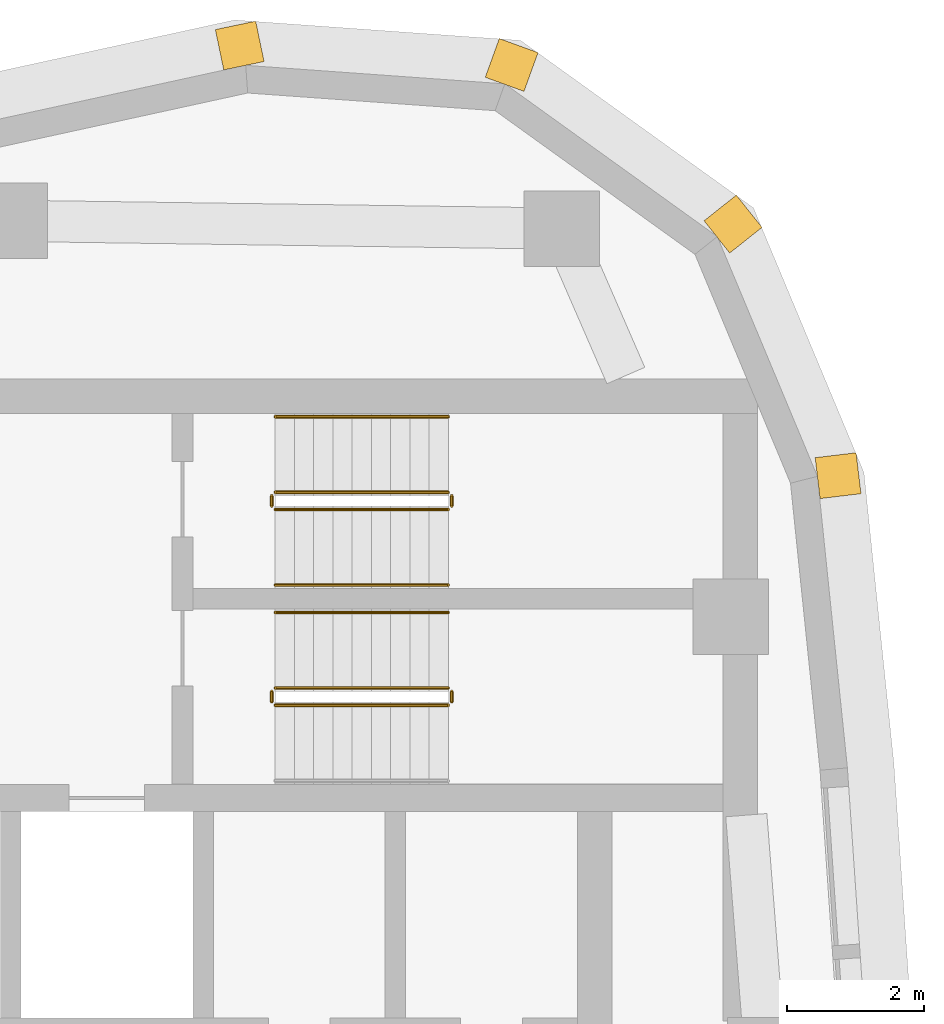
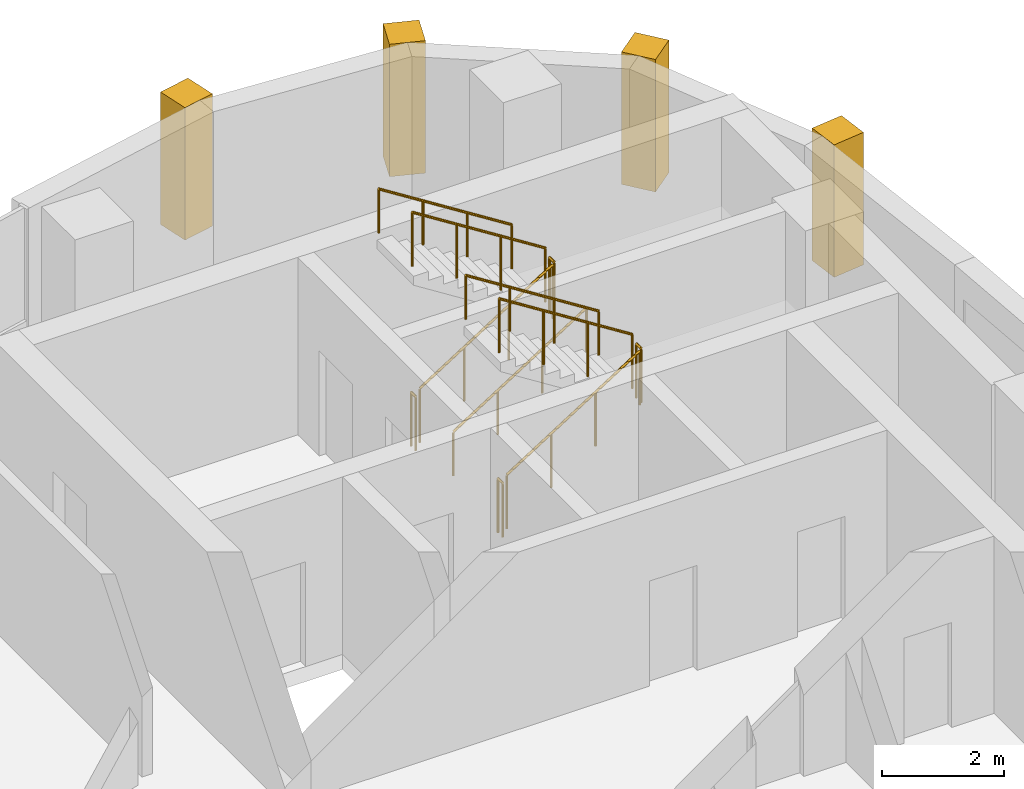
# One storey, part 14 of 14: 11 railings, 4 coverings.
"""IFC4 building model written with IfcOpenShell, lengths in metres."""

from ifc_helpers import new_model, si_unit, direction, frame, frame_2d, origin, origin_2d, place, context, subcontext, project, spatial, rectangle, circle, extrude, material, layer, layer_set, type_object, element, save


model = new_model("IFC4")

# Units and contexts
model_context = context("Model", 3, precision=1e-05, world=origin(), true_north=direction((0.0, 1.0)))
body_context = subcontext(model_context, "Body", "Model", "MODEL_VIEW")
ifc_project = project(units=[si_unit("LENGTHUNIT", "METRE"), si_unit("AREAUNIT", "SQUARE_METRE"), si_unit("VOLUMEUNIT", "CUBIC_METRE"), si_unit("PLANEANGLEUNIT", "RADIAN"), si_unit("MASSUNIT", "GRAM", prefix="KILO")], contexts=[model_context])

# Site, building, storey
site_placement = place(None, origin())
site = spatial("IfcSite", under=ifc_project, at=site_placement, CompositionType="ELEMENT")
building_placement = place(site_placement, origin())
building = spatial("IfcBuilding", under=site, at=building_placement, Name="Ostrand Prow Hotel Tower", CompositionType="ELEMENT")
storey_placement = place(building_placement, frame((0.0, 0.0, 278.550048828125)))
storey = spatial("IfcBuildingStorey", under=building, at=storey_placement, Name="L70", CompositionType="ELEMENT", Elevation=278.550048828125)

# Coverings
ifc_material_1 = material(Name="Limestone cladding", Category="masonry")
ifc_layer = layer(ifc_material_1, 0.60009765625)
ifc_layer_set = layer_set([ifc_layer], Name="Limestone cladding")
covering_type = type_object("IfcCoveringType", Name="Precast stone prow rib 600x600", PredefinedType="CLADDING", material=ifc_layer_set)
covering_1_placement = place(storey_placement, frame((65.0966796875, 14.806396484375, 0.599853515625), z_axis=(0.0, 0.0, 1.0), x_axis=(0.992867207971, 0.119225447515, 0.0)))
element("IfcCovering", 1, at=covering_1_placement, inside=storey, type_object=covering_type, Name="Stone corner rib 12a", PredefinedType="CLADDING", context=body_context, shape_type="SweptSolid", body=[
    extrude(rectangle(XDim=0.60009765625, YDim=0.60009765625, at=frame_2d((0.300048828125, 0.0))), origin(), (0.0, 0.0, 1.0), 2.650146484375),
])
for number, where, z_axis, x_axis, name in (
    (2, (63.630615234375, 18.318359375, 0.599853515625), (0.0, 0.0, 1.0), (0.782731736812, 0.622359243674, 0.0), "Stone corner rib 13a"),
    (3, (60.540283203125, 20.539794921875, 0.599853515625), (0.0, 0.0, 1.0), (0.340664419472, 0.940184956966, 0.0), "Stone corner rib 14a"),
):
    element("IfcCovering", number, at=place(storey_placement, frame(where, z_axis=z_axis, x_axis=x_axis)), inside=storey, type_object=covering_type, Name=name, PredefinedType="CLADDING", context=body_context, shape_type="SweptSolid", body=[
        extrude(rectangle(XDim=0.599853515625, YDim=0.60009765625, at=frame_2d((0.2998046875, 0.0))), origin(), (0.0, 0.0, 1.0), 2.650146484375),
    ])
covering_2_placement = place(storey_placement, frame((56.744384765625, 20.810546875, 0.599853515625), z_axis=(0.0, 0.0, 1.0), x_axis=(-0.203385687349, 0.979098698897, 0.0)))
element("IfcCovering", 4, at=covering_2_placement, inside=storey, type_object=covering_type, Name="Stone corner rib 14b", PredefinedType="CLADDING", context=body_context, shape_type="SweptSolid", body=[
    extrude(rectangle(XDim=0.60009765625, YDim=0.60009765625, at=frame_2d((0.300048828125, 0.0))), origin(), (0.0, 0.0, 1.0), 2.650146484375),
])

# Railings
ifc_material_2 = material(Name="Painted steel", Category="steel")
railing_type_1 = type_object("IfcRailingType", Name="Stair guard 1100", PredefinedType="GUARDRAIL", material=ifc_material_2)
railing_1_placement = place(storey_placement, frame((57.199951171875, 11.5, 0.177490234375)))
element("IfcRailing", 5, at=railing_1_placement, inside=storey, type_object=railing_type_1, Name="L70 ST1C stair guard 1", PredefinedType="GUARDRAIL", context=body_context, shape_type="SweptSolid", body=[
    extrude(circle(Radius=0.02392578125, at=origin_2d()), frame((0.0, 0.0, 1.076171875), z_axis=(0.84460694969, 0.0, 0.535386869969), x_axis=(0.0, 1.0, 0.0)), (0.0, 0.0, 1.0), 2.983642578125),
    extrude(circle(Radius=0.02099609375, at=origin_2d()), origin(), (0.0, 0.0, 1.0), 1.052001953125),
    extrude(circle(Radius=0.02099609375, at=origin_2d()), frame((0.840087890625, 0.0, 0.532470703125)), (0.0, 0.0, 1.0), 1.052001953125),
    extrude(circle(Radius=0.02099609375, at=origin_2d()), frame((1.679931640625, 0.0, 1.06494140625)), (0.0, 0.0, 1.0), 1.052001953125),
    extrude(circle(Radius=0.02099609375, at=origin_2d()), frame((2.52001953125, 0.0, 1.597412109375)), (0.0, 0.0, 1.0), 1.052001953125),
])
railing_2_placement = place(storey_placement, frame((59.77001953125, 11.550048828125, 1.77490234375)))
element("IfcRailing", 6, at=railing_2_placement, inside=storey, type_object=railing_type_1, Name="L70 ST1C stair guard 2", PredefinedType="GUARDRAIL", context=body_context, shape_type="SweptSolid", body=[
    extrude(circle(Radius=0.02392578125, at=origin_2d()), frame((0.0, 0.0, 1.076171875), z_axis=(0.0, 1.0, 0.0), x_axis=(-1.0, 0.0, 0.0)), (0.0, 0.0, 1.0), 0.14990234375),
    extrude(circle(Radius=0.02099609375, at=origin_2d()), origin(), (0.0, 0.0, 1.0), 1.052001953125),
    extrude(circle(Radius=0.02099609375, at=origin_2d()), frame((0.0, 0.14990234375, 0.0)), (0.0, 0.0, 1.0), 1.052001953125),
])
railing_3_placement = place(storey_placement, frame((59.719970703125, 11.75, 1.952392578125)))
element("IfcRailing", 7, at=railing_3_placement, inside=storey, type_object=railing_type_1, Name="L70 ST1C stair guard 3", PredefinedType="GUARDRAIL", context=body_context, shape_type="SweptSolid", body=[
    extrude(circle(Radius=0.02392578125, at=origin_2d()), frame((0.0, 0.0, 1.076171875), z_axis=(-0.84456994832, 0.0, 0.535445237532), x_axis=(0.0, -1.0, 0.0)), (0.0, 0.0, 1.0), 2.98388671875),
    extrude(circle(Radius=0.02099609375, at=origin_2d()), origin(), (0.0, 0.0, 1.0), 1.052001953125),
    extrude(circle(Radius=0.02099609375, at=origin_2d()), frame((-0.840087890625, 0.0, 0.532470703125)), (0.0, 0.0, 1.0), 1.052001953125),
    extrude(circle(Radius=0.02099609375, at=origin_2d()), frame((-1.679931640625, 0.0, 1.065185546875)), (0.0, 0.0, 1.0), 1.052001953125),
    extrude(circle(Radius=0.02099609375, at=origin_2d()), frame((-2.52001953125, 0.0, 1.59765625)), (0.0, 0.0, 1.0), 1.052001953125),
])
railing_4_placement = place(storey_placement, frame((57.14990234375, 11.550048828125, 0.0)))
element("IfcRailing", 8, at=railing_4_placement, inside=storey, type_object=railing_type_1, Name="L70 ST1C stair guard 4", PredefinedType="GUARDRAIL", context=body_context, shape_type="SweptSolid", body=[
    extrude(circle(Radius=0.02392578125, at=origin_2d()), frame((0.0, 0.0, 1.076171875), z_axis=(0.0, 1.0, 0.0), x_axis=(-1.0, 0.0, 0.0)), (0.0, 0.0, 1.0), 0.14990234375),
    extrude(circle(Radius=0.02099609375, at=origin_2d()), origin(), (0.0, 0.0, 1.0), 1.052001953125),
    extrude(circle(Radius=0.02099609375, at=origin_2d()), frame((0.0, 0.14990234375, 0.0)), (0.0, 0.0, 1.0), 1.052001953125),
])
railing_5_placement = place(storey_placement, frame((57.199951171875, 14.35009765625, 0.177490234375)))
element("IfcRailing", 9, at=railing_5_placement, inside=storey, type_object=railing_type_1, Name="L70 ST3C stair guard 1", PredefinedType="GUARDRAIL", context=body_context, shape_type="SweptSolid", body=[
    extrude(circle(Radius=0.02392578125, at=origin_2d()), frame((0.0, 0.0, 1.076171875), z_axis=(0.84460694969, 0.0, 0.535386869969), x_axis=(0.0, 1.0, 0.0)), (0.0, 0.0, 1.0), 2.983642578125),
    extrude(circle(Radius=0.02099609375, at=origin_2d()), origin(), (0.0, 0.0, 1.0), 1.052001953125),
    extrude(circle(Radius=0.02099609375, at=origin_2d()), frame((0.840087890625, 0.0, 0.532470703125)), (0.0, 0.0, 1.0), 1.052001953125),
    extrude(circle(Radius=0.02099609375, at=origin_2d()), frame((1.679931640625, 0.0, 1.06494140625)), (0.0, 0.0, 1.0), 1.052001953125),
    extrude(circle(Radius=0.02099609375, at=origin_2d()), frame((2.52001953125, 0.0, 1.597412109375)), (0.0, 0.0, 1.0), 1.052001953125),
])
railing_6_placement = place(storey_placement, frame((59.77001953125, 14.39990234375, 1.77490234375)))
element("IfcRailing", 10, at=railing_6_placement, inside=storey, type_object=railing_type_1, Name="L70 ST3C stair guard 2", PredefinedType="GUARDRAIL", context=body_context, shape_type="SweptSolid", body=[
    extrude(circle(Radius=0.02392578125, at=origin_2d()), frame((0.0, 0.0, 1.076171875), z_axis=(0.0, 1.0, 0.0), x_axis=(-1.0, 0.0, 0.0)), (0.0, 0.0, 1.0), 0.150146484375),
    extrude(circle(Radius=0.02099609375, at=origin_2d()), origin(), (0.0, 0.0, 1.0), 1.052001953125),
    extrude(circle(Radius=0.02099609375, at=origin_2d()), frame((0.0, 0.150146484375, 0.0)), (0.0, 0.0, 1.0), 1.052001953125),
])
railing_7_placement = place(storey_placement, frame((59.719970703125, 14.60009765625, 1.952392578125)))
element("IfcRailing", 11, at=railing_7_placement, inside=storey, type_object=railing_type_1, Name="L70 ST3C stair guard 3", PredefinedType="GUARDRAIL", context=body_context, shape_type="SweptSolid", body=[
    extrude(circle(Radius=0.02392578125, at=origin_2d()), frame((0.0, 0.0, 1.076171875), z_axis=(-0.84456994832, 0.0, 0.535445237532), x_axis=(0.0, -1.0, 0.0)), (0.0, 0.0, 1.0), 2.98388671875),
    extrude(circle(Radius=0.02099609375, at=origin_2d()), origin(), (0.0, 0.0, 1.0), 1.052001953125),
    extrude(circle(Radius=0.02099609375, at=origin_2d()), frame((-0.840087890625, 0.0, 0.532470703125)), (0.0, 0.0, 1.0), 1.052001953125),
    extrude(circle(Radius=0.02099609375, at=origin_2d()), frame((-1.679931640625, 0.0, 1.065185546875)), (0.0, 0.0, 1.0), 1.052001953125),
    extrude(circle(Radius=0.02099609375, at=origin_2d()), frame((-2.52001953125, 0.0, 1.59765625)), (0.0, 0.0, 1.0), 1.052001953125),
])
railing_8_placement = place(storey_placement, frame((57.14990234375, 14.39990234375, 0.0)))
element("IfcRailing", 12, at=railing_8_placement, inside=storey, type_object=railing_type_1, Name="L70 ST3C stair guard 4", PredefinedType="GUARDRAIL", context=body_context, shape_type="SweptSolid", body=[
    extrude(circle(Radius=0.02392578125, at=origin_2d()), frame((0.0, 0.0, 1.076171875), z_axis=(0.0, 1.0, 0.0), x_axis=(-1.0, 0.0, 0.0)), (0.0, 0.0, 1.0), 0.150146484375),
    extrude(circle(Radius=0.02099609375, at=origin_2d()), origin(), (0.0, 0.0, 1.0), 1.052001953125),
    extrude(circle(Radius=0.02099609375, at=origin_2d()), frame((0.0, 0.150146484375, 0.0)), (0.0, 0.0, 1.0), 1.052001953125),
])
ifc_material_3 = material(Name="Stainless steel", Category="steel")
railing_type_2 = type_object("IfcRailingType", Name="Stair handrail 900", PredefinedType="HANDRAIL", material=ifc_material_3)
railing_9_placement = place(storey_placement, frame((59.719970703125, 12.85009765625, 1.952392578125)))
element("IfcRailing", 13, at=railing_9_placement, inside=storey, type_object=railing_type_2, Name="L70 ST1C stair handrail 2", PredefinedType="HANDRAIL", context=body_context, shape_type="SweptSolid", body=[
    extrude(circle(Radius=0.02392578125, at=origin_2d()), frame((0.0, 0.0, 0.8759765625), z_axis=(-0.84456994832, 0.0, 0.535445237532), x_axis=(0.0, -1.0, 0.0)), (0.0, 0.0, 1.0), 2.98388671875),
    extrude(circle(Radius=0.02099609375, at=origin_2d()), origin(), (0.0, 0.0, 1.0), 0.851806640625),
    extrude(circle(Radius=0.02099609375, at=origin_2d()), frame((-0.840087890625, 0.0, 0.532470703125)), (0.0, 0.0, 1.0), 0.851806640625),
    extrude(circle(Radius=0.02099609375, at=origin_2d()), frame((-1.679931640625, 0.0, 1.065185546875)), (0.0, 0.0, 1.0), 0.851806640625),
    extrude(circle(Radius=0.02099609375, at=origin_2d()), frame((-2.52001953125, 0.0, 1.59765625)), (0.0, 0.0, 1.0), 0.851806640625),
])
railing_10_placement = place(storey_placement, frame((57.199951171875, 13.25, 0.177490234375)))
element("IfcRailing", 14, at=railing_10_placement, inside=storey, type_object=railing_type_2, Name="L70 ST3C stair handrail 1", PredefinedType="HANDRAIL", context=body_context, shape_type="SweptSolid", body=[
    extrude(circle(Radius=0.02392578125, at=origin_2d()), frame((0.0, 0.0, 0.8759765625), z_axis=(0.84460694969, 0.0, 0.535386869969), x_axis=(0.0, 1.0, 0.0)), (0.0, 0.0, 1.0), 2.983642578125),
    extrude(circle(Radius=0.02099609375, at=origin_2d()), origin(), (0.0, 0.0, 1.0), 0.851806640625),
    extrude(circle(Radius=0.02099609375, at=origin_2d()), frame((0.840087890625, 0.0, 0.532470703125)), (0.0, 0.0, 1.0), 0.851806640625),
    extrude(circle(Radius=0.02099609375, at=origin_2d()), frame((1.679931640625, 0.0, 1.06494140625)), (0.0, 0.0, 1.0), 0.851806640625),
    extrude(circle(Radius=0.02099609375, at=origin_2d()), frame((2.52001953125, 0.0, 1.597412109375)), (0.0, 0.0, 1.0), 0.851806640625),
])
railing_11_placement = place(storey_placement, frame((59.719970703125, 15.699951171875, 1.952392578125)))
element("IfcRailing", 15, at=railing_11_placement, inside=storey, type_object=railing_type_2, Name="L70 ST3C stair handrail 2", PredefinedType="HANDRAIL", context=body_context, shape_type="SweptSolid", body=[
    extrude(circle(Radius=0.02392578125, at=origin_2d()), frame((0.0, 0.0, 0.8759765625), z_axis=(-0.84456994832, 0.0, 0.535445237532), x_axis=(0.0, -1.0, 0.0)), (0.0, 0.0, 1.0), 2.98388671875),
    extrude(circle(Radius=0.02099609375, at=origin_2d()), origin(), (0.0, 0.0, 1.0), 0.851806640625),
    extrude(circle(Radius=0.02099609375, at=origin_2d()), frame((-0.840087890625, 0.0, 0.532470703125)), (0.0, 0.0, 1.0), 0.851806640625),
    extrude(circle(Radius=0.02099609375, at=origin_2d()), frame((-1.679931640625, 0.0, 1.065185546875)), (0.0, 0.0, 1.0), 0.851806640625),
    extrude(circle(Radius=0.02099609375, at=origin_2d()), frame((-2.52001953125, 0.0, 1.59765625)), (0.0, 0.0, 1.0), 0.851806640625),
])

save(model, "model.ifc")
